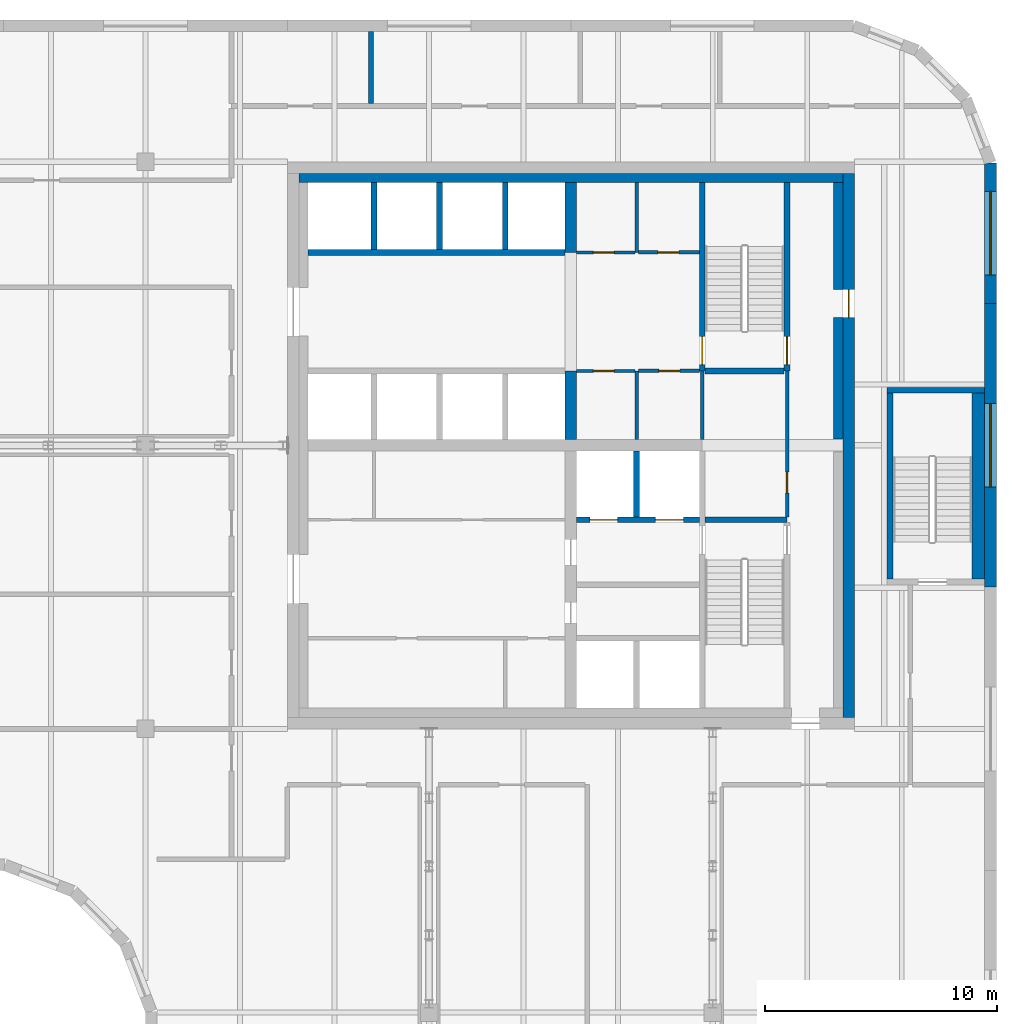
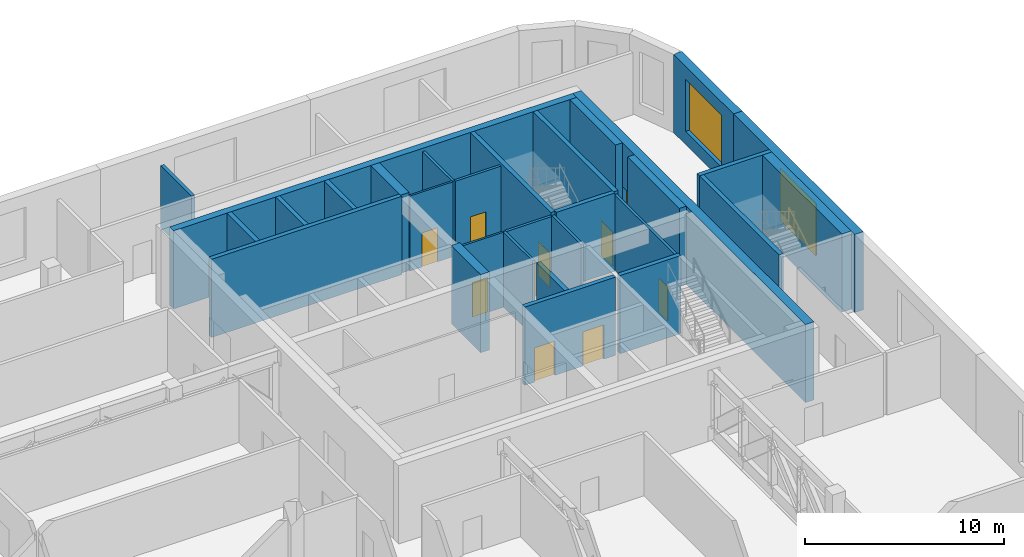
# One storey, part 9 of 12: 30 walls, 10 doors, 2 windows, 12 openings.
"""IFC4 building model written with IfcOpenShell, lengths in metres."""

from ifc_helpers import new_model, si_unit, direction, frame, frame_2d, origin, place, context, subcontext, project, spatial, polyline, rectangle, outline, extrude, faceted_brep, source, transform, mapped, material, layer, layer_set, type_object, element, fill, save


model = new_model("IFC4")

# Units and contexts
model_context = context("Model", 3, precision=1e-05, world=origin(), true_north=direction((0.0, 1.0)))
body_context = subcontext(model_context, "Body", "Model", "MODEL_VIEW")
ifc_project = project(units=[si_unit("LENGTHUNIT", "METRE"), si_unit("AREAUNIT", "SQUARE_METRE"), si_unit("VOLUMEUNIT", "CUBIC_METRE"), si_unit("PLANEANGLEUNIT", "RADIAN"), si_unit("MASSUNIT", "GRAM", prefix="KILO")], contexts=[model_context])

# Site, building, storey
site_placement = place(None, origin())
site = spatial("IfcSite", under=ifc_project, at=site_placement, CompositionType="ELEMENT")
building_placement = place(site_placement, origin())
building = spatial("IfcBuilding", under=site, at=building_placement, Name="Tessera Gate Towers", CompositionType="ELEMENT")
storey_placement = place(building_placement, frame((0.0, 0.0, 232.10009765625)))
storey = spatial("IfcBuildingStorey", under=building, at=storey_placement, Name="L58", CompositionType="ELEMENT", Elevation=232.10009765625)

# Wall
ifc_material_1 = material(Name="Concrete C40/50", Category="concrete")
ifc_layer_1 = layer(ifc_material_1, 0.25)
ifc_layer_set_1 = layer_set([ifc_layer_1], Name="CORE ENCLOSURE WALL 250")
wall_type_1 = type_object("IfcWallType", Name="CORE ENCLOSURE WALL 250", PredefinedType="SOLIDWALL", material=ifc_layer_set_1)
wall_1_placement = place(storey_placement, frame((31.39990234375, 44.89990234375, 0.0), z_axis=(0.0, 0.0, 1.0), x_axis=(1.0, 0.0, 0.0)))
element("IfcWall", 1, at=wall_1_placement, inside=storey, type_object=wall_type_1, Name="L58 shaft and stair enclosure wall", PredefinedType="SOLIDWALL", context=body_context, shape_type="SweptSolid", body=[
    extrude(rectangle(XDim=11.050048828125, YDim=0.25, at=frame_2d((5.52490234375, 0.0))), origin(), (0.0, 0.0, 1.0), 4.7998046875),
])

# Wall, openings, doors
wall_2_placement = place(storey_placement, frame((48.22509765625, 33.39990234375, 0.0), z_axis=(0.0, 0.0, 1.0), x_axis=(-1.0, 0.0, 0.0)))
wall_2 = element("IfcWall", 2, at=wall_2_placement, inside=storey, type_object=wall_type_1, Name="L58 shaft and stair enclosure wall", PredefinedType="SOLIDWALL", context=body_context, shape_type="SweptSolid", body=[
    extrude(rectangle(XDim=5.275146484375, YDim=0.25, at=frame_2d((2.6376953125, 0.0))), origin(), (0.0, 0.0, 1.0), 4.7998046875),
])
shared_shape_1 = source(origin(), body_context, "Body", "SweptSolid", [
    extrude(rectangle(XDim=1.199951171875, YDim=2.10009765625, at=frame_2d((0.60009765625, 1.050048828125))), frame((0.0, 0.135009765625, 0.0), z_axis=(0.0, -1.0, 0.0), x_axis=(1.0, 0.0, 0.0)), (0.0, 0.0, 1.0), 0.27001953125),
])
opening_1_placement = place(wall_2_placement, frame((3.512451171875, 0.0, 0.0)))
opening_1 = element("IfcOpeningElement", 3, at=opening_1_placement, cuts=wall_2, Name="Opening LD-FF1", PredefinedType="OPENING", context=body_context, shape_type="MappedRepresentation", body=[
    mapped(shared_shape_1, transform((0.0, 0.0, 0.0), scale=1.0)),
])
opening_2_placement = place(wall_2_placement, frame((0.6875, 0.0, 0.0)))
opening_2 = element("IfcOpeningElement", 4, at=opening_2_placement, cuts=wall_2, Name="Opening LD-FF2", PredefinedType="OPENING", context=body_context, shape_type="MappedRepresentation", body=[
    mapped(shared_shape_1, transform((0.0, 0.0, 0.0), scale=1.0)),
])
ifc_material_2 = material(Name="Stainless steel", Category="steel")
door_type_1 = type_object("IfcDoorType", Name="CORE DOOR LD1200 1200x2100", OperationType="DOUBLE_DOOR_SLIDING", PredefinedType="DOOR", material=ifc_material_2)
shared_shape_2 = source(origin(), body_context, "Body", "SweptSolid", [
    extrude(rectangle(XDim=1.199951171875, YDim=2.10009765625, at=frame_2d((0.60009765625, 1.050048828125))), frame((0.0, 0.02490234375, 0.0), z_axis=(0.0, -1.0, 0.0), x_axis=(1.0, 0.0, 0.0)), (0.0, 0.0, 1.0), 0.050048828125),
])
door_1_placement = place(opening_1_placement, origin())
door_1 = element("IfcDoor", 5, at=door_1_placement, inside=storey, type_object=door_type_1, Name="Landing door FF1 L58", OperationType="DOUBLE_DOOR_SLIDING", OverallHeight=2.10009765625, OverallWidth=1.199951171875, PredefinedType="DOOR", context=body_context, shape_type="MappedRepresentation", body=[
    mapped(shared_shape_2, transform((0.0, 0.0, 0.0), scale=1.0)),
])
fill(opening_1, door_1)
door_2_placement = place(opening_2_placement, origin())
door_2 = element("IfcDoor", 6, at=door_2_placement, inside=storey, type_object=door_type_1, Name="Landing door FF2 L58", OperationType="DOUBLE_DOOR_SLIDING", OverallHeight=2.10009765625, OverallWidth=1.199951171875, PredefinedType="DOOR", context=body_context, shape_type="MappedRepresentation", body=[
    mapped(shared_shape_2, transform((0.0, 0.0, 0.0), scale=1.0)),
])
fill(opening_2, door_2)

# Wall
wall_3_placement = place(storey_placement, frame((48.47509765625, 33.39990234375, 0.0), z_axis=(0.0, 0.0, 1.0), x_axis=(1.0, 0.0, 0.0)))
element("IfcWall", 7, at=wall_3_placement, inside=storey, type_object=wall_type_1, Name="L58 shaft and stair enclosure wall", PredefinedType="SOLIDWALL", context=body_context, shape_type="SweptSolid", body=[
    extrude(rectangle(XDim=3.52490234375, YDim=0.25, at=frame_2d((1.762451171875, 0.0))), origin(), (0.0, 0.0, 1.0), 4.7998046875),
])

# Wall, opening, door
wall_4_placement = place(storey_placement, frame((48.35009765625, 47.89990234375, 0.0), z_axis=(0.0, 0.0, 1.0), x_axis=(0.0, -1.0, 0.0)))
wall_4 = element("IfcWall", 8, at=wall_4_placement, inside=storey, type_object=wall_type_1, Name="L58 shaft and stair enclosure wall", PredefinedType="SOLIDWALL", context=body_context, shape_type="SweptSolid", body=[
    extrude(rectangle(XDim=8.099853515625, YDim=0.25, at=frame_2d((4.0498046875, 0.0))), origin(), (0.0, 0.0, 1.0), 4.7998046875),
])
opening_3_placement = place(wall_4_placement, frame((6.625, 0.0, 0.0)))
opening_3 = element("IfcOpeningElement", 9, at=opening_3_placement, cuts=wall_4, Name="Opening SD-ST2-1", PredefinedType="OPENING", context=body_context, shape_type="MappedRepresentation", body=[
    mapped(shared_shape_1, transform((0.0, 0.0, 0.0), scale=1.0)),
])
ifc_material_3 = material(Name="Hollow steel fire door", Category="steel")
door_type_2 = type_object("IfcDoorType", Name="CORE DOOR SD 1200x2100", OperationType="NOTDEFINED", PredefinedType="DOOR", material=ifc_material_3)
door_3_placement = place(opening_3_placement, origin())
door_3 = element("IfcDoor", 10, at=door_3_placement, inside=storey, type_object=door_type_2, Name="Stair door", OperationType="SINGLE_SWING_RIGHT", OverallHeight=2.10009765625, OverallWidth=1.199951171875, PredefinedType="DOOR", context=body_context, shape_type="MappedRepresentation", body=[
    mapped(shared_shape_2, transform((0.0, 0.0, 0.0), scale=1.0)),
])
fill(opening_3, door_3)

wall_5_placement = place(storey_placement, frame((52.0, 39.800048828125, 0.0), z_axis=(0.0, 0.0, 1.0), x_axis=(0.0, 1.0, 0.0)))
wall_5 = element("IfcWall", 11, at=wall_5_placement, inside=storey, type_object=wall_type_1, Name="L58 shaft and stair enclosure wall", PredefinedType="SOLIDWALL", context=body_context, shape_type="SweptSolid", body=[
    extrude(rectangle(XDim=8.099853515625, YDim=0.25, at=frame_2d((4.0498046875, 0.0))), origin(), (0.0, 0.0, 1.0), 4.7998046875),
])
opening_4_placement = place(wall_5_placement, frame((0.27490234375, 0.0, 0.0)))
opening_4 = element("IfcOpeningElement", 12, at=opening_4_placement, cuts=wall_5, Name="Opening SD-ST2-2", PredefinedType="OPENING", context=body_context, shape_type="MappedRepresentation", body=[
    mapped(shared_shape_1, transform((0.0, 0.0, 0.0), scale=1.0)),
])
door_4_placement = place(opening_4_placement, origin())
door_4 = element("IfcDoor", 13, at=door_4_placement, inside=storey, type_object=door_type_2, Name="Stair door", OperationType="SINGLE_SWING_LEFT", OverallHeight=2.10009765625, OverallWidth=1.199951171875, PredefinedType="DOOR", context=body_context, shape_type="MappedRepresentation", body=[
    mapped(shared_shape_2, transform((0.0, 0.0, 0.0), scale=1.0)),
])
fill(opening_4, door_4)

# Walls
wall_6_placement = place(storey_placement, frame((48.47509765625, 39.800048828125, 0.0), z_axis=(0.0, 0.0, 1.0), x_axis=(1.0, 0.0, 0.0)))
element("IfcWall", 14, at=wall_6_placement, inside=storey, type_object=wall_type_1, Name="L58 shaft and stair enclosure wall", PredefinedType="SOLIDWALL", context=body_context, shape_type="SweptSolid", body=[
    extrude(rectangle(XDim=3.39990234375, YDim=0.25, at=frame_2d((1.699951171875, 0.0))), origin(), (0.0, 0.0, 1.0), 4.7998046875),
])
wall_7_placement = place(storey_placement, frame((45.52490234375, 33.52490234375, 0.0), z_axis=(0.0, 0.0, 1.0), x_axis=(0.0, 1.0, 0.0)))
element("IfcWall", 15, at=wall_7_placement, inside=storey, type_object=wall_type_1, Name="L58 shaft and stair enclosure wall", PredefinedType="SOLIDWALL", context=body_context, shape_type="SweptSolid", body=[
    extrude(rectangle(XDim=2.8251953125, YDim=0.25, at=frame_2d((1.41259765625, 0.0))), origin(), (0.0, 0.0, 1.0), 4.7998046875),
])
for number, where, z_axis, x_axis, name in (
    (16, (34.22509765625, 45.02490234375, 0.0), (0.0, 0.0, 1.0), (0.0, 1.0, 0.0), "L58 shaft and stair enclosure wall"),
    (17, (37.050048828125, 45.02490234375, 0.0), (0.0, 0.0, 1.0), (0.0, 1.0, 0.0), "L58 shaft and stair enclosure wall"),
    (18, (39.875, 45.02490234375, 0.0), (0.0, 0.0, 1.0), (0.0, 1.0, 0.0), "L58 shaft and stair enclosure wall"),
):
    element("IfcWall", number, at=place(storey_placement, frame(where, z_axis=z_axis, x_axis=x_axis)), inside=storey, type_object=wall_type_1, Name=name, PredefinedType="SOLIDWALL", context=body_context, shape_type="SweptSolid", body=[
        extrude(rectangle(XDim=2.875, YDim=0.25, at=frame_2d((1.4375, 0.0))), origin(), (0.0, 0.0, 1.0), 4.7998046875),
    ])
wall_8_placement = place(storey_placement, frame((56.425048828125, 30.85009765625, 0.0), z_axis=(0.0, 0.0, 1.0), x_axis=(0.0, 1.0, 0.0)))
element("IfcWall", 19, at=wall_8_placement, inside=storey, type_object=wall_type_1, Name="L58 ST5 enclosure wall", PredefinedType="SOLIDWALL", context=body_context, shape_type="SweptSolid", body=[
    extrude(rectangle(XDim=8.0, YDim=0.25, at=frame_2d((4.0, 0.0))), origin(), (0.0, 0.0, 1.0), 4.7998046875),
])
wall_9_placement = place(storey_placement, frame((56.300048828125, 38.97509765625, 0.0), z_axis=(0.0, 0.0, 1.0), x_axis=(1.0, 0.0, 0.0)))
element("IfcWall", 20, at=wall_9_placement, inside=storey, type_object=wall_type_1, Name="L58 ST5 enclosure wall", PredefinedType="SOLIDWALL", context=body_context, shape_type="SweptSolid", body=[
    extrude(rectangle(XDim=4.199951171875, YDim=0.25, at=frame_2d((2.10009765625, 0.0))), origin(), (0.0, 0.0, 1.0), 4.7998046875),
])
ifc_material_4 = material(Name="Concrete C40/50", Category="concrete")
ifc_layer_2 = layer(ifc_material_4, 0.550048828125)
ifc_layer_set_2 = layer_set([ifc_layer_2], Name="CORE ENCLOSURE WALL 550")
wall_type_2 = type_object("IfcWallType", Name="CORE ENCLOSURE WALL 550", PredefinedType="SOLIDWALL", material=ifc_layer_set_2)
wall_10_placement = place(storey_placement, frame((60.22509765625, 38.85009765625, 0.0), z_axis=(0.0, 0.0, 1.0), x_axis=(0.0, -1.0, 0.0)))
element("IfcWall", 21, at=wall_10_placement, inside=storey, type_object=wall_type_2, Name="L58 ST5 enclosure wall", PredefinedType="SOLIDWALL", context=body_context, shape_type="SweptSolid", body=[
    extrude(rectangle(XDim=8.0, YDim=0.550048828125, at=frame_2d((4.0, 0.0))), origin(), (0.0, 0.0, 1.0), 4.7998046875),
])

# Wall, opening, door
ifc_material_5 = material(Name="Gypsum board on steel studs", Category="steel")
ifc_layer_3 = layer(ifc_material_5, 0.1201171875)
ifc_layer_set_3 = layer_set([ifc_layer_3], Name="CORE PARTITION 120")
wall_type_3 = type_object("IfcWallType", Name="CORE PARTITION 120", PredefinedType="PARTITIONING", material=ifc_layer_set_3)
wall_11_placement = place(storey_placement, frame((45.449951171875, 39.800048828125, 0.0), z_axis=(0.0, 0.0, 1.0), x_axis=(-1.0, 0.0, 0.0)))
wall_11 = element("IfcWall", 22, at=wall_11_placement, inside=storey, type_object=wall_type_3, Name="L58 core partition", PredefinedType="PARTITIONING", context=body_context, shape_type="SweptSolid", body=[
    extrude(rectangle(XDim=2.5, YDim=0.1201171875, at=frame_2d((1.25, 0.0))), origin(), (0.0, 0.0, 1.0), 4.599853515625),
])
shared_shape_3 = source(origin(), body_context, "Body", "SweptSolid", [
    extrude(rectangle(XDim=0.89990234375, YDim=2.10009765625, at=frame_2d((0.449951171875, 1.050048828125))), frame((0.0, 0.070068359375, 0.0), z_axis=(0.0, -1.0, 0.0), x_axis=(1.0, 0.0, 0.0)), (0.0, 0.0, 1.0), 0.14013671875),
])
opening_5_placement = place(wall_11_placement, frame((0.887451171875, 0.0, 0.0)))
opening_5 = element("IfcOpeningElement", 23, at=opening_5_placement, cuts=wall_11, Name="Opening RD-T1-35-12", PredefinedType="OPENING", context=body_context, shape_type="MappedRepresentation", body=[
    mapped(shared_shape_3, transform((0.0, 0.0, 0.0), scale=1.0)),
])
ifc_material_6 = material(Name="Hollow steel fire door", Category="steel")
door_type_3 = type_object("IfcDoorType", Name="CORE DOOR RD 900x2100", OperationType="NOTDEFINED", PredefinedType="DOOR", material=ifc_material_6)
shared_shape_4 = source(origin(), body_context, "Body", "SweptSolid", [
    extrude(rectangle(XDim=0.89990234375, YDim=2.10009765625, at=frame_2d((0.449951171875, 1.050048828125))), frame((0.0, 0.02490234375, 0.0), z_axis=(0.0, -1.0, 0.0), x_axis=(1.0, 0.0, 0.0)), (0.0, 0.0, 1.0), 0.050048828125),
])
door_5_placement = place(opening_5_placement, origin())
door_5 = element("IfcDoor", 24, at=door_5_placement, inside=storey, type_object=door_type_3, Name="Core room door", OperationType="SINGLE_SWING_RIGHT", OverallHeight=2.10009765625, OverallWidth=0.89990234375, PredefinedType="DOOR", context=body_context, shape_type="MappedRepresentation", body=[
    mapped(shared_shape_4, transform((0.0, 0.0, 0.0), scale=1.0)),
])
fill(opening_5, door_5)

wall_12_placement = place(storey_placement, frame((42.949951171875, 44.89990234375, 0.0), z_axis=(0.0, 0.0, 1.0), x_axis=(1.0, 0.0, 0.0)))
wall_12 = element("IfcWall", 25, at=wall_12_placement, inside=storey, type_object=wall_type_3, Name="L58 core partition", PredefinedType="PARTITIONING", context=body_context, shape_type="SweptSolid", body=[
    extrude(rectangle(XDim=2.5, YDim=0.1201171875, at=frame_2d((1.25, 0.0))), origin(), (0.0, 0.0, 1.0), 4.599853515625),
])
opening_6_placement = place(wall_12_placement, frame((0.71240234375, 0.0, 0.0)))
opening_6 = element("IfcOpeningElement", 26, at=opening_6_placement, cuts=wall_12, Name="Opening RD-T1-35-14", PredefinedType="OPENING", context=body_context, shape_type="MappedRepresentation", body=[
    mapped(shared_shape_3, transform((0.0, 0.0, 0.0), scale=1.0)),
])
door_6_placement = place(opening_6_placement, origin())
door_6 = element("IfcDoor", 27, at=door_6_placement, inside=storey, type_object=door_type_3, Name="Core room door", OperationType="SINGLE_SWING_LEFT", OverallHeight=2.10009765625, OverallWidth=0.89990234375, PredefinedType="DOOR", context=body_context, shape_type="MappedRepresentation", body=[
    mapped(shared_shape_4, transform((0.0, 0.0, 0.0), scale=1.0)),
])
fill(opening_6, door_6)

ifc_material_7 = material(Name="Concrete C50/60", Category="concrete")
ifc_layer_4 = layer(ifc_material_7, 0.5)
ifc_layer_set_4 = layer_set([ifc_layer_4], Name="CORE SHEAR WALL 500 C50/60")
wall_type_4 = type_object("IfcWallType", Name="CORE SHEAR WALL 500 C50/60", PredefinedType="SHEAR", material=ifc_layer_set_4)
wall_13_placement = place(storey_placement, frame((54.64990234375, 48.300048828125, 0.0), z_axis=(0.0, 0.0, 1.0), x_axis=(0.0, -1.0, 0.0)))
wall_13 = element("IfcWall", 28, at=wall_13_placement, inside=storey, type_object=wall_type_4, Name="Core wall E L58", PredefinedType="SHEAR", context=body_context, shape_type="SweptSolid", body=[
    extrude(rectangle(XDim=23.400146484375, YDim=0.5, at=frame_2d((11.7001953125, 0.0))), origin(), (0.0, 0.0, 1.0), 4.7998046875),
])
shared_shape_5 = source(origin(), body_context, "Body", "SweptSolid", [
    extrude(rectangle(XDim=1.199951171875, YDim=2.10009765625, at=frame_2d((0.60009765625, 1.050048828125))), frame((0.0, 0.260009765625, 0.0), z_axis=(0.0, -1.0, 0.0), x_axis=(1.0, 0.0, 0.0)), (0.0, 0.0, 1.0), 0.52001953125),
])
opening_7_placement = place(wall_13_placement, frame((5.0, 0.0, 0.0)))
opening_7 = element("IfcOpeningElement", 29, at=opening_7_placement, cuts=wall_13, Name="Opening ED-T1-35-04", PredefinedType="OPENING", context=body_context, shape_type="MappedRepresentation", body=[
    mapped(shared_shape_5, transform((0.0, 0.0, 0.0), scale=1.0)),
])
ifc_material_8 = material(Name="Hollow steel fire door", Category="steel")
door_type_4 = type_object("IfcDoorType", Name="CORE DOOR ED 1200x2100", OperationType="NOTDEFINED", PredefinedType="DOOR", material=ifc_material_8)
door_7_placement = place(opening_7_placement, origin())
door_7 = element("IfcDoor", 30, at=door_7_placement, inside=storey, type_object=door_type_4, Name="Core exit door", OperationType="SINGLE_SWING_LEFT", OverallHeight=2.10009765625, OverallWidth=1.199951171875, PredefinedType="DOOR", context=body_context, shape_type="MappedRepresentation", body=[
    mapped(shared_shape_2, transform((0.0, 0.0, 0.0), scale=1.0)),
])
fill(opening_7, door_7)

# Walls
ifc_material_9 = material(Name="Concrete C50/60", Category="concrete")
ifc_layer_5 = layer(ifc_material_9, 0.5)
ifc_layer_set_5 = layer_set([ifc_layer_5], Name="CORE SPINE WALL 500 C50/60")
wall_type_5 = type_object("IfcWallType", Name="CORE SPINE WALL 500 C50/60", PredefinedType="SHEAR", material=ifc_layer_set_5)
wall_14_placement = place(storey_placement, frame((42.699951171875, 36.85009765625, 0.0), z_axis=(0.0, 0.0, 1.0), x_axis=(0.0, 1.0, 0.0)))
element("IfcWall", 31, at=wall_14_placement, inside=storey, type_object=wall_type_5, Name="Core wall spine L58", PredefinedType="SHEAR", context=body_context, shape_type="SweptSolid", body=[
    extrude(rectangle(XDim=2.949951171875, YDim=0.5, at=frame_2d((1.47509765625, 0.0))), origin(), (0.0, 0.0, 1.0), 4.7998046875),
])
wall_15_placement = place(storey_placement, frame((42.699951171875, 44.89990234375, 0.0), z_axis=(0.0, 0.0, 1.0), x_axis=(0.0, 1.0, 0.0)))
element("IfcWall", 32, at=wall_15_placement, inside=storey, type_object=wall_type_5, Name="Core wall spine L58", PredefinedType="SHEAR", context=body_context, shape_type="SweptSolid", body=[
    extrude(rectangle(XDim=3.0, YDim=0.5, at=frame_2d((1.5, 0.0))), origin(), (0.0, 0.0, 1.0), 4.7998046875),
])
ifc_material_10 = material(Name="Concrete C50/60", Category="concrete")
ifc_layer_6 = layer(ifc_material_10, 0.39990234375)
ifc_layer_set_6 = layer_set([ifc_layer_6], Name="CORE WALL THICKENING 400")
wall_type_6 = type_object("IfcWallType", Name="CORE WALL THICKENING 400", PredefinedType="SOLIDWALL", material=ifc_layer_set_6)
wall_16_placement = place(storey_placement, frame((31.0, 48.10009765625, 0.0), z_axis=(0.0, 0.0, 1.0), x_axis=(1.0, 0.0, 0.0)))
element("IfcWall", 33, at=wall_16_placement, inside=storey, type_object=wall_type_6, Name="Core wall thickening N L58", PredefinedType="SOLIDWALL", context=body_context, shape_type="SweptSolid", body=[
    extrude(rectangle(XDim=23.39990234375, YDim=0.39990234375, at=frame_2d((11.699951171875, 0.0))), origin(), (0.0, 0.0, 1.0), 4.7998046875),
])
wall_17_placement = place(storey_placement, frame((54.199951171875, 36.8798828125, 0.0), z_axis=(0.0, 0.0, 1.0), x_axis=(0.0, 1.0, 0.0)))
element("IfcWall", 34, at=wall_17_placement, inside=storey, type_object=wall_type_6, Name="Core wall thickening E L58", PredefinedType="SOLIDWALL", context=body_context, shape_type="SweptSolid", body=[
    extrude(rectangle(XDim=5.22021484375, YDim=0.39990234375, at=frame_2d((2.610107421875, 0.0))), origin(), (0.0, 0.0, 1.0), 4.7998046875),
])
wall_18_placement = place(storey_placement, frame((54.199951171875, 43.300048828125, 0.0), z_axis=(0.0, 0.0, 1.0), x_axis=(0.0, 1.0, 0.0)))
element("IfcWall", 35, at=wall_18_placement, inside=storey, type_object=wall_type_6, Name="Core wall thickening E L58", PredefinedType="SOLIDWALL", context=body_context, shape_type="SweptSolid", body=[
    extrude(rectangle(XDim=4.599853515625, YDim=0.39990234375, at=frame_2d((2.2998046875, 0.0))), origin(), (0.0, 0.0, 1.0), 4.7998046875),
])
ifc_material_11 = material(Name="Concrete masonry unit", Category="masonry")
ifc_layer_7 = layer(ifc_material_11, 0.199951171875)
ifc_layer_set_7 = layer_set([ifc_layer_7], Name="PLANT WALL 200")
wall_type_7 = type_object("IfcWallType", Name="PLANT WALL 200", PredefinedType="PARTITIONING", material=ifc_layer_set_7)
wall_19_placement = place(storey_placement, frame((34.10009765625, 51.301025390625, 0.0), z_axis=(0.0, 0.0, 1.0), x_axis=(0.0, 1.0, 0.0)))
element("IfcWall", 36, at=wall_19_placement, inside=storey, type_object=wall_type_7, Name="T1-L58-PW-041", PredefinedType="PARTITIONING", context=body_context, shape_type="SweptSolid", body=[
    extrude(rectangle(XDim=3.098876953125, YDim=0.199951171875, at=frame_2d((1.54931640625, 0.0))), origin(), (0.0, 0.0, 1.0), 3.81689453125),
])

# Wall, opening, door
ifc_material_12 = material(Name="Gypsum board on steel studs", Category="steel")
ifc_layer_8 = layer(ifc_material_12, 0.14990234375)
ifc_layer_set_8 = layer_set([ifc_layer_8], Name="SERVICE ROOM WALL 150")
wall_type_8 = type_object("IfcWallType", Name="SERVICE ROOM WALL 150", PredefinedType="PARTITIONING", material=ifc_layer_set_8)
wall_20_placement = place(storey_placement, frame((52.0, 33.52490234375, 0.0), z_axis=(0.0, 0.0, 1.0), x_axis=(0.0, 1.0, 0.0)))
wall_20 = element("IfcWall", 37, at=wall_20_placement, inside=storey, type_object=wall_type_8, Name="L58 service room wall", PredefinedType="PARTITIONING", context=body_context, shape_type="SweptSolid", body=[
    extrude(rectangle(XDim=6.275146484375, YDim=0.14990234375, at=frame_2d((3.1376953125, 0.0))), origin(), (0.0, 0.0, 1.0), 4.599853515625),
])
shared_shape_6 = source(origin(), body_context, "Body", "SweptSolid", [
    extrude(rectangle(XDim=0.89990234375, YDim=2.10009765625, at=frame_2d((0.449951171875, 1.050048828125))), frame((0.0, 0.0849609375, 0.0), z_axis=(0.0, -1.0, 0.0), x_axis=(1.0, 0.0, 0.0)), (0.0, 0.0, 1.0), 0.169921875),
])
opening_8_placement = place(wall_20_placement, frame((1.02490234375, 0.0, 0.0)))
opening_8 = element("IfcOpeningElement", 38, at=opening_8_placement, cuts=wall_20, Name="Opening RD-T1-35-11", PredefinedType="OPENING", context=body_context, shape_type="MappedRepresentation", body=[
    mapped(shared_shape_6, transform((0.0, 0.0, 0.0), scale=1.0)),
])
door_8_placement = place(opening_8_placement, origin())
door_8 = element("IfcDoor", 39, at=door_8_placement, inside=storey, type_object=door_type_3, Name="Core room door", OperationType="SINGLE_SWING_LEFT", OverallHeight=2.10009765625, OverallWidth=0.89990234375, PredefinedType="DOOR", context=body_context, shape_type="MappedRepresentation", body=[
    mapped(shared_shape_4, transform((0.0, 0.0, 0.0), scale=1.0)),
])
fill(opening_8, door_8)

# Walls
for number, where, z_axis, x_axis, name in (
    (40, (45.52490234375, 36.85009765625, 0.0), (0.0, 0.0, 1.0), (0.0, 1.0, 0.0), "L58 service room wall"),
    (41, (48.35009765625, 36.85009765625, 0.0), (0.0, 0.0, 1.0), (0.0, 1.0, 0.0), "L58 service room wall"),
):
    element("IfcWall", number, at=place(storey_placement, frame(where, z_axis=z_axis, x_axis=x_axis)), inside=storey, type_object=wall_type_8, Name=name, PredefinedType="PARTITIONING", context=body_context, shape_type="SweptSolid", body=[
        extrude(rectangle(XDim=2.949951171875, YDim=0.14990234375, at=frame_2d((1.47509765625, 0.0))), origin(), (0.0, 0.0, 1.0), 4.599853515625),
    ])
wall_21_placement = place(storey_placement, frame((45.52490234375, 44.89990234375, 0.0), z_axis=(0.0, 0.0, 1.0), x_axis=(0.0, 1.0, 0.0)))
element("IfcWall", 42, at=wall_21_placement, inside=storey, type_object=wall_type_8, Name="L58 service room wall", PredefinedType="PARTITIONING", context=body_context, shape_type="SweptSolid", body=[
    extrude(rectangle(XDim=3.0, YDim=0.14990234375, at=frame_2d((1.5, 0.0))), origin(), (0.0, 0.0, 1.0), 4.599853515625),
])

# Wall, opening, door
wall_22_placement = place(storey_placement, frame((48.22509765625, 39.800048828125, 0.0), z_axis=(0.0, 0.0, 1.0), x_axis=(-1.0, 0.0, 0.0)))
wall_22 = element("IfcWall", 43, at=wall_22_placement, inside=storey, type_object=wall_type_8, Name="L58 service room wall", PredefinedType="PARTITIONING", context=body_context, shape_type="SweptSolid", body=[
    extrude(rectangle(XDim=2.625, YDim=0.14990234375, at=frame_2d((1.3125, 0.0))), origin(), (0.0, 0.0, 1.0), 4.599853515625),
])
opening_9_placement = place(wall_22_placement, frame((0.83740234375, 0.0, 0.0)))
opening_9 = element("IfcOpeningElement", 44, at=opening_9_placement, cuts=wall_22, Name="Opening RD-T1-35-13", PredefinedType="OPENING", context=body_context, shape_type="MappedRepresentation", body=[
    mapped(shared_shape_6, transform((0.0, 0.0, 0.0), scale=1.0)),
])
door_9_placement = place(opening_9_placement, origin())
door_9 = element("IfcDoor", 45, at=door_9_placement, inside=storey, type_object=door_type_3, Name="Core room door", OperationType="SINGLE_SWING_LEFT", OverallHeight=2.10009765625, OverallWidth=0.89990234375, PredefinedType="DOOR", context=body_context, shape_type="MappedRepresentation", body=[
    mapped(shared_shape_4, transform((0.0, 0.0, 0.0), scale=1.0)),
])
fill(opening_9, door_9)

wall_23_placement = place(storey_placement, frame((45.60009765625, 44.89990234375, 0.0), z_axis=(0.0, 0.0, 1.0), x_axis=(1.0, 0.0, 0.0)))
wall_23 = element("IfcWall", 46, at=wall_23_placement, inside=storey, type_object=wall_type_8, Name="L58 service room wall", PredefinedType="PARTITIONING", context=body_context, shape_type="SweptSolid", body=[
    extrude(rectangle(XDim=2.625, YDim=0.14990234375, at=frame_2d((1.3125, 0.0))), origin(), (0.0, 0.0, 1.0), 4.599853515625),
])
opening_10_placement = place(wall_23_placement, frame((0.85009765625, 0.0, 0.0)))
opening_10 = element("IfcOpeningElement", 47, at=opening_10_placement, cuts=wall_23, Name="Opening RD-T1-35-15", PredefinedType="OPENING", context=body_context, shape_type="MappedRepresentation", body=[
    mapped(shared_shape_6, transform((0.0, 0.0, 0.0), scale=1.0)),
])
door_10_placement = place(opening_10_placement, origin())
door_10 = element("IfcDoor", 48, at=door_10_placement, inside=storey, type_object=door_type_3, Name="Core room door", OperationType="SINGLE_SWING_LEFT", OverallHeight=2.10009765625, OverallWidth=0.89990234375, PredefinedType="DOOR", context=body_context, shape_type="MappedRepresentation", body=[
    mapped(shared_shape_4, transform((0.0, 0.0, 0.0), scale=1.0)),
])
fill(opening_10, door_10)

# Wall, opening, window
ifc_material_13 = material(Name="Precast concrete C60/75 white", Category="concrete")
ifc_layer_9 = layer(ifc_material_13, 0.5)
ifc_layer_set_9 = layer_set([ifc_layer_9], Name="RB1 ring band panel")
wall_type_9 = type_object("IfcWallType", Name="RB1 ring band panel", PredefinedType="SOLIDWALL", material=ifc_layer_set_9)
shared_shape_7 = source(origin(), body_context, "Body", "SweptSolid", [
    extrude(outline(polyline([(0.0, 0.0), (12.199951171875, 0.0), (12.199951171875, 4.7998046875), (0.0, 4.7998046875), (0.0, 0.0)])), frame((0.0, 0.25, 0.0), z_axis=(0.0, -1.0, 0.0), x_axis=(1.0, 0.0, 0.0)), (0.0, 0.0, 1.0), 0.5),
])
wall_24_placement = place(storey_placement, frame((60.75, 30.5, 0.0), z_axis=(0.0, 0.0, 1.0), x_axis=(0.0, 1.0, 0.0)))
wall_24 = element("IfcWall", 49, at=wall_24_placement, inside=storey, type_object=wall_type_9, Name="Ring band panel T1 RB1-0072", PredefinedType="SOLIDWALL", context=body_context, shape_type="MappedRepresentation", body=[
    mapped(shared_shape_7, transform((0.0, 0.0, 0.0), scale=1.0)),
])
shared_shape_8 = source(origin(), body_context, "Body", "SweptSolid", [
    extrude(outline(polyline([(4.300048828125, 0.7998046875), (7.89990234375, 0.7998046875), (7.89990234375, 4.0), (4.300048828125, 4.0), (4.300048828125, 0.7998046875)])), frame((0.0, 0.260009765625, 0.0), z_axis=(0.0, -1.0, 0.0), x_axis=(1.0, 0.0, 0.0)), (0.0, 0.0, 1.0), 0.52001953125),
])
opening_11_placement = place(wall_24_placement, origin())
opening_11 = element("IfcOpeningElement", 50, at=opening_11_placement, cuts=wall_24, Name="Opening T1-WN-LV1-0072", PredefinedType="OPENING", context=body_context, shape_type="MappedRepresentation", body=[
    mapped(shared_shape_8, transform((0.0, 0.0, 0.0), scale=1.0)),
])
ifc_material_14 = material(Name="Aluminium louvre", Category="aluminium")
ifc_layer_10 = layer(ifc_material_14, 0.06005859375)
ifc_layer_set_10 = layer_set([ifc_layer_10], Name="LV1 louvre")
window_type = type_object("IfcWindowType", Name="LV1 louvre", PartitioningType="USERDEFINED", PredefinedType="WINDOW", material=ifc_layer_set_10)
shared_shape_9 = source(origin(), body_context, "Body", "SweptSolid", [
    extrude(outline(polyline([(4.300048828125, 0.7998046875), (7.89990234375, 0.7998046875), (7.89990234375, 4.0), (4.300048828125, 4.0), (4.300048828125, 0.7998046875)])), frame((0.0, 0.030029296875, 0.0), z_axis=(0.0, -1.0, 0.0), x_axis=(1.0, 0.0, 0.0)), (0.0, 0.0, 1.0), 0.06005859375),
])
window_1_placement = place(opening_11_placement, origin())
window_1 = element("IfcWindow", 51, at=window_1_placement, inside=storey, type_object=window_type, Name="Louvre T1 WN-LV1-0072", OverallHeight=3.2001953125, OverallWidth=3.599853515625, PartitioningType="USERDEFINED", PredefinedType="WINDOW", context=body_context, shape_type="MappedRepresentation", body=[
    mapped(shared_shape_9, transform((0.0, 0.0, 0.0), scale=1.0)),
])
fill(opening_11, window_1)

shared_shape_10 = source(origin(), body_context, "Body", "Brep", [
    faceted_brep([(0.0, -0.25, 0.0), (6.053466796875, -0.25, 0.0), (6.053466796875, -0.25, 4.7998046875), (0.0, -0.25, 4.7998046875), (0.0, 0.25, 4.7998046875), (6.0068359375, 0.25, 4.7998046875), (6.0068359375, 0.25, 0.0), (0.0, 0.25, 0.0), (6.053466796875, 0.0, 0.0), (6.053466796875, 0.0, 4.7998046875)], [[[0, 1, 2, 3]], [[4, 5, 6, 7]], [[7, 6, 8, 1, 0]], [[9, 2, 1, 8]], [[5, 4, 3, 2, 9]], [[4, 7, 0, 3]], [[8, 6, 5, 9]]]),
])
wall_25_placement = place(storey_placement, frame((60.75, 42.699951171875, 0.0), z_axis=(0.0, 0.0, 1.0), x_axis=(0.0, 1.0, 0.0)))
wall_25 = element("IfcWall", 52, at=wall_25_placement, inside=storey, type_object=wall_type_9, Name="Ring band panel T1 RB1-0073", PredefinedType="SOLIDWALL", context=body_context, shape_type="MappedRepresentation", body=[
    mapped(shared_shape_10, transform((0.0, 0.0, 0.0), scale=1.0)),
])
shared_shape_11 = source(origin(), body_context, "Body", "SweptSolid", [
    extrude(outline(polyline([(1.226806640625, 0.7998046875), (4.82666015625, 0.7998046875), (4.82666015625, 4.0), (1.226806640625, 4.0), (1.226806640625, 0.7998046875)])), frame((0.0, 0.260009765625, 0.0), z_axis=(0.0, -1.0, 0.0), x_axis=(1.0, 0.0, 0.0)), (0.0, 0.0, 1.0), 0.52001953125),
])
opening_12_placement = place(wall_25_placement, origin())
opening_12 = element("IfcOpeningElement", 53, at=opening_12_placement, cuts=wall_25, Name="Opening T1-WN-LV1-0073", PredefinedType="OPENING", context=body_context, shape_type="MappedRepresentation", body=[
    mapped(shared_shape_11, transform((0.0, 0.0, 0.0), scale=1.0)),
])
shared_shape_12 = source(origin(), body_context, "Body", "SweptSolid", [
    extrude(outline(polyline([(1.226806640625, 0.7998046875), (4.82666015625, 0.7998046875), (4.82666015625, 4.0), (1.226806640625, 4.0), (1.226806640625, 0.7998046875)])), frame((0.0, 0.030029296875, 0.0), z_axis=(0.0, -1.0, 0.0), x_axis=(1.0, 0.0, 0.0)), (0.0, 0.0, 1.0), 0.06005859375),
])
window_2_placement = place(opening_12_placement, origin())
window_2 = element("IfcWindow", 54, at=window_2_placement, inside=storey, type_object=window_type, Name="Louvre T1 WN-LV1-0073", OverallHeight=3.2001953125, OverallWidth=3.599853515625, PartitioningType="USERDEFINED", PredefinedType="WINDOW", context=body_context, shape_type="MappedRepresentation", body=[
    mapped(shared_shape_12, transform((0.0, 0.0, 0.0), scale=1.0)),
])
fill(opening_12, window_2)

save(model, "model.ifc")
